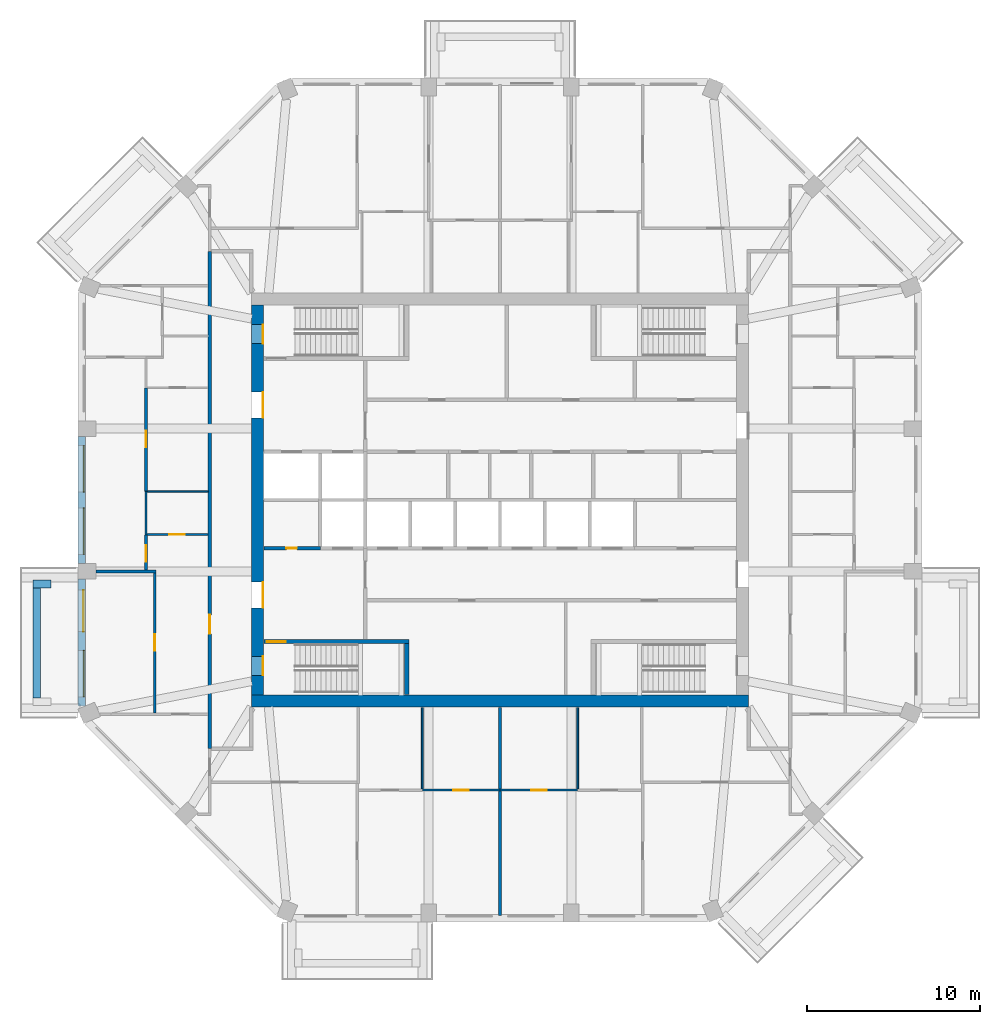
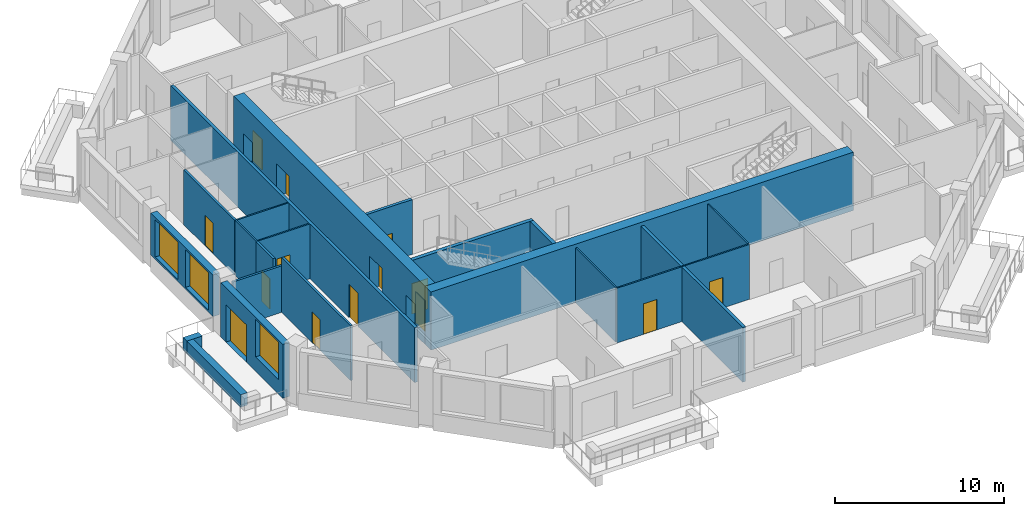
# One storey, part 3 of 10: 22 walls, 14 doors, 3 windows, 17 openings.
"""IFC4 building model written with IfcOpenShell, lengths in metres."""

from ifc_helpers import new_model, si_unit, direction, frame, frame_2d, origin, place, context, subcontext, project, spatial, rectangle, extrude, material, layer, layer_set, type_object, element, fill, save


model = new_model("IFC4")

# Units and contexts
model_context = context("Model", 3, precision=1e-05, world=origin(), true_north=direction((0.0, 1.0)))
body_context = subcontext(model_context, "Body", "Model", "MODEL_VIEW")
ifc_project = project(units=[si_unit("LENGTHUNIT", "METRE"), si_unit("AREAUNIT", "SQUARE_METRE"), si_unit("VOLUMEUNIT", "CUBIC_METRE"), si_unit("PLANEANGLEUNIT", "RADIAN"), si_unit("MASSUNIT", "GRAM", prefix="KILO")], contexts=[model_context])

# Site, building, storey
site_placement = place(None, origin())
site = spatial("IfcSite", under=ifc_project, at=site_placement, CompositionType="ELEMENT")
building_placement = place(site_placement, origin())
building = spatial("IfcBuilding", under=site, at=building_placement, Name="Msitu Wima Residences", CompositionType="ELEMENT")
storey_placement = place(building_placement, frame((0.0, 0.0, 195.89990234375)))
storey = spatial("IfcBuildingStorey", under=building, at=storey_placement, Name="L45", CompositionType="ELEMENT", Elevation=195.89990234375)

# Walls
ifc_material_1 = material(Name="Facing brick")
ifc_layer_1 = layer(ifc_material_1, 0.06494140625, Name="Facing brick")
ifc_material_2 = material(Name="Concrete C40/50", Category="concrete")
ifc_layer_2 = layer(ifc_material_2, 0.156005859375, Name="Concrete C40/50")
ifc_material_3 = material(Name="Waterproofing membrane")
ifc_layer_3 = layer(ifc_material_3, 0.00390625, Name="Waterproofing membrane")
ifc_material_4 = material(Name="Planting soil and planting")
ifc_layer_4 = layer(ifc_material_4, 0.22509765625, Name="Planting soil and planting")
ifc_layer_set_1 = layer_set([ifc_layer_1, ifc_layer_2, ifc_layer_3, ifc_layer_4], Name="Concrete C40/50")
wall_type_1 = type_object("IfcWallType", Name="Balcony planter PLANTER PL450", PredefinedType="USERDEFINED", material=ifc_layer_set_1)
wall_1_placement = place(storey_placement, frame((-26.824951171875, -5.087158203125, 0.0), z_axis=(0.0, 0.0, 1.0), x_axis=(0.0, -1.0, 0.0)))
element("IfcWall", 1, at=wall_1_placement, inside=storey, type_object=wall_type_1, Name="Balcony planter W2 L45", ObjectType="PLANTER", PredefinedType="USERDEFINED", context=body_context, shape_type="SweptSolid", body=[
    extrude(rectangle(XDim=6.37451171875, YDim=0.449951171875, at=frame_2d((3.187255859375, 0.0))), origin(), (0.0, 0.0, 1.0), 0.900146484375),
])
wall_2_placement = place(storey_placement, frame((-26.0, -4.8623046875, 0.0), z_axis=(0.0, 0.0, 1.0), x_axis=(-1.0, 0.0, 0.0)))
element("IfcWall", 2, at=wall_2_placement, inside=storey, type_object=wall_type_1, Name="Balcony planter W2 L45", ObjectType="PLANTER", PredefinedType="USERDEFINED", context=body_context, shape_type="SweptSolid", body=[
    extrude(rectangle(XDim=1.050048828125, YDim=0.449951171875, at=frame_2d((0.52490234375, 0.0))), origin(), (0.0, 0.0, 1.0), 0.900146484375),
])

# Wall, openings, windows
ifc_material_5 = material(Name="Brick (red buff mix)", Category="masonry")
ifc_layer_5 = layer(ifc_material_5, 0.449951171875)
ifc_layer_set_2 = layer_set([ifc_layer_5], Name="Brick (red buff mix)")
wall_type_2 = type_object("IfcWallType", Name="Brick infill wall BW450", PredefinedType="SOLIDWALL", material=ifc_layer_set_2)
wall_3_placement = place(storey_placement, frame((-24.22509765625, 3.687255859375, 0.900146484375), z_axis=(0.0, 0.0, 1.0), x_axis=(0.0, -1.0, 0.0)))
wall_3 = element("IfcWall", 3, at=wall_3_placement, inside=storey, type_object=wall_type_2, Name="Brick infill wall L45 W1", PredefinedType="SOLIDWALL", context=body_context, shape_type="SweptSolid", body=[
    extrude(rectangle(XDim=7.37451171875, YDim=0.449951171875, at=frame_2d((3.687255859375, 0.0))), origin(), (0.0, 0.0, 1.0), 3.0),
])
opening_1_placement = place(wall_3_placement, frame((0.537353515625, 0.0, 0.14990234375)))
opening_1 = element("IfcOpeningElement", 4, at=opening_1_placement, cuts=wall_3, Name="Opening W43-45.031", PredefinedType="OPENING", context=body_context, shape_type="SweptSolid", body=[
    extrude(rectangle(XDim=2.699951171875, YDim=2.699951171875, at=frame_2d((1.35009765625, 1.35009765625))), frame((0.0, 0.23486328125, 0.0), z_axis=(0.0, -1.0, 0.0), x_axis=(1.0, 0.0, 0.0)), (0.0, 0.0, 1.0), 0.469970703125),
])
opening_2_placement = place(wall_3_placement, frame((4.13720703125, 0.0, 0.14990234375)))
opening_2 = element("IfcOpeningElement", 5, at=opening_2_placement, cuts=wall_3, Name="Opening W43-45.032", PredefinedType="OPENING", context=body_context, shape_type="SweptSolid", body=[
    extrude(rectangle(XDim=2.699951171875, YDim=2.699951171875, at=frame_2d((1.35009765625, 1.35009765625))), frame((0.0, 0.23486328125, 0.0), z_axis=(0.0, -1.0, 0.0), x_axis=(1.0, 0.0, 0.0)), (0.0, 0.0, 1.0), 0.469970703125),
])
ifc_material_6 = material(Name="Anodised aluminium, bronze finish, clear low-emissivity double glazing", Category="aluminium")
window_type = type_object("IfcWindowType", Name="Window W2700x2700", PartitioningType="DOUBLE_PANEL_VERTICAL", PredefinedType="WINDOW", material=ifc_material_6)
window_1_placement = place(opening_1_placement, origin())
window_1 = element("IfcWindow", 6, at=window_1_placement, inside=storey, type_object=window_type, Name="Window L45 W1.1", OverallHeight=2.699951171875, OverallWidth=2.699951171875, PartitioningType="SINGLE_PANEL", PredefinedType="WINDOW", context=body_context, shape_type="SweptSolid", body=[
    extrude(rectangle(XDim=2.699951171875, YDim=2.699951171875, at=frame_2d((1.35009765625, 1.35009765625))), frame((0.0, 0.135009765625, 0.0), z_axis=(0.0, -1.0, 0.0), x_axis=(1.0, 0.0, 0.0)), (0.0, 0.0, 1.0), 0.06005859375),
])
fill(opening_1, window_1)
window_2_placement = place(opening_2_placement, origin())
window_2 = element("IfcWindow", 7, at=window_2_placement, inside=storey, type_object=window_type, Name="Window L45 W1.2", OverallHeight=2.699951171875, OverallWidth=2.699951171875, PartitioningType="SINGLE_PANEL", PredefinedType="WINDOW", context=body_context, shape_type="SweptSolid", body=[
    extrude(rectangle(XDim=2.699951171875, YDim=2.699951171875, at=frame_2d((1.35009765625, 1.35009765625))), frame((0.0, 0.135009765625, 0.0), z_axis=(0.0, -1.0, 0.0), x_axis=(1.0, 0.0, 0.0)), (0.0, 0.0, 1.0), 0.06005859375),
])
fill(opening_2, window_2)

# Wall, openings, door, window
wall_4_placement = place(storey_placement, frame((-24.22509765625, -4.587158203125, 0.0), z_axis=(0.0, 0.0, 1.0), x_axis=(0.0, -1.0, 0.0)))
wall_4 = element("IfcWall", 8, at=wall_4_placement, inside=storey, type_object=wall_type_2, Name="Brick infill wall L45 W2", PredefinedType="SOLIDWALL", context=body_context, shape_type="SweptSolid", body=[
    extrude(rectangle(XDim=7.337646484375, YDim=0.449951171875, at=frame_2d((3.6689453125, 0.0))), origin(), (0.0, 0.0, 1.0), 3.900146484375),
])
opening_3_placement = place(wall_4_placement, frame((0.63427734375, 0.0, 0.0)))
opening_3 = element("IfcOpeningElement", 9, at=opening_3_placement, cuts=wall_4, Name="Opening D43-45.007", PredefinedType="OPENING", context=body_context, shape_type="SweptSolid", body=[
    extrude(rectangle(XDim=2.39990234375, YDim=2.699951171875, at=frame_2d((1.199951171875, 1.35009765625))), frame((0.0, 0.23486328125, 0.0), z_axis=(0.0, -1.0, 0.0), x_axis=(1.0, 0.0, 0.0)), (0.0, 0.0, 1.0), 0.469970703125),
])
opening_4_placement = place(wall_4_placement, frame((4.11865234375, 0.0, 1.050048828125)))
opening_4 = element("IfcOpeningElement", 10, at=opening_4_placement, cuts=wall_4, Name="Opening W43-45.033", PredefinedType="OPENING", context=body_context, shape_type="SweptSolid", body=[
    extrude(rectangle(XDim=2.699951171875, YDim=2.699951171875, at=frame_2d((1.35009765625, 1.35009765625))), frame((0.0, 0.23486328125, 0.0), z_axis=(0.0, -1.0, 0.0), x_axis=(1.0, 0.0, 0.0)), (0.0, 0.0, 1.0), 0.469970703125),
])
door_type_1 = type_object("IfcDoorType", Name="Balcony door D2400x2700", OperationType="SLIDING_TO_LEFT", PredefinedType="DOOR", material=ifc_material_6)
door_1_placement = place(opening_3_placement, origin())
door_1 = element("IfcDoor", 11, at=door_1_placement, inside=storey, type_object=door_type_1, Name="Balcony door L45 W2", OperationType="SINGLE_SWING_LEFT", OverallHeight=2.699951171875, OverallWidth=2.39990234375, PredefinedType="DOOR", context=body_context, shape_type="SweptSolid", body=[
    extrude(rectangle(XDim=2.39990234375, YDim=2.699951171875, at=frame_2d((1.199951171875, 1.35009765625))), frame((0.0, 0.1298828125, 0.0), z_axis=(0.0, -1.0, 0.0), x_axis=(1.0, 0.0, 0.0)), (0.0, 0.0, 1.0), 0.050048828125),
])
fill(opening_3, door_1)
window_3_placement = place(opening_4_placement, origin())
window_3 = element("IfcWindow", 12, at=window_3_placement, inside=storey, type_object=window_type, Name="Window L45 W2.2", OverallHeight=2.699951171875, OverallWidth=2.699951171875, PartitioningType="SINGLE_PANEL", PredefinedType="WINDOW", context=body_context, shape_type="SweptSolid", body=[
    extrude(rectangle(XDim=2.699951171875, YDim=2.699951171875, at=frame_2d((1.35009765625, 1.35009765625))), frame((0.0, 0.135009765625, 0.0), z_axis=(0.0, -1.0, 0.0), x_axis=(1.0, 0.0, 0.0)), (0.0, 0.0, 1.0), 0.06005859375),
])
fill(opening_4, window_3)

# Wall
ifc_material_7 = material(Name="Concrete C60/75", Category="concrete")
ifc_layer_6 = layer(ifc_material_7, 0.699951171875)
ifc_layer_set_3 = layer_set([ifc_layer_6], Name="Concrete C60/75")
wall_type_3 = type_object("IfcWallType", Name="Core wall CW700 C60/75", PredefinedType="SHEAR", material=ifc_layer_set_3)
wall_5_placement = place(storey_placement, frame((-14.39990234375, -11.64990234375, 0.0), z_axis=(0.0, 0.0, 1.0), x_axis=(1.0, 0.0, 0.0)))
element("IfcWall", 13, at=wall_5_placement, inside=storey, type_object=wall_type_3, Name="Core wall", PredefinedType="SHEAR", context=body_context, shape_type="SweptSolid", body=[
    extrude(rectangle(XDim=28.7998046875, YDim=0.699951171875, at=frame_2d((14.39990234375, 0.0))), origin(), (0.0, 0.0, 1.0), 4.2001953125),
])

# Wall, openings, doors
wall_6_placement = place(storey_placement, frame((-14.050048828125, -11.300048828125, 0.0), z_axis=(0.0, 0.0, 1.0), x_axis=(0.0, 1.0, 0.0)))
wall_6 = element("IfcWall", 14, at=wall_6_placement, inside=storey, type_object=wall_type_3, Name="Core wall", PredefinedType="SHEAR", context=body_context, shape_type="SweptSolid", body=[
    extrude(rectangle(XDim=22.60009765625, YDim=0.699951171875, at=frame_2d((11.300048828125, 0.0))), origin(), (0.0, 0.0, 1.0), 4.2001953125),
])
opening_5_placement = place(wall_6_placement, frame((20.35009765625, 0.0, 0.0)))
opening_5 = element("IfcOpeningElement", 15, at=opening_5_placement, cuts=wall_6, Name="Opening D43-45.069", PredefinedType="OPENING", context=body_context, shape_type="SweptSolid", body=[
    extrude(rectangle(XDim=1.10009765625, YDim=2.199951171875, at=frame_2d((0.550048828125, 1.10009765625))), frame((0.0, 0.35986328125, 0.0), z_axis=(0.0, -1.0, 0.0), x_axis=(1.0, 0.0, 0.0)), (0.0, 0.0, 1.0), 0.719970703125),
])
opening_6_placement = place(wall_6_placement, frame((1.14990234375, 0.0, 0.0)))
opening_6 = element("IfcOpeningElement", 16, at=opening_6_placement, cuts=wall_6, Name="Opening D43-45.071", PredefinedType="OPENING", context=body_context, shape_type="SweptSolid", body=[
    extrude(rectangle(XDim=1.10009765625, YDim=2.199951171875, at=frame_2d((0.550048828125, 1.10009765625))), frame((0.0, 0.35986328125, 0.0), z_axis=(0.0, -1.0, 0.0), x_axis=(1.0, 0.0, 0.0)), (0.0, 0.0, 1.0), 0.719970703125),
])
opening_7_placement = place(wall_6_placement, frame((16.050048828125, 0.0, 0.0)))
opening_7 = element("IfcOpeningElement", 17, at=opening_7_placement, cuts=wall_6, Name="Opening D43-45.051", PredefinedType="OPENING", context=body_context, shape_type="SweptSolid", body=[
    extrude(rectangle(XDim=1.5, YDim=2.39990234375, at=frame_2d((0.75, 1.199951171875))), frame((0.0, 0.35986328125, 0.0), z_axis=(0.0, -1.0, 0.0), x_axis=(1.0, 0.0, 0.0)), (0.0, 0.0, 1.0), 0.719970703125),
])
opening_8_placement = place(wall_6_placement, frame((5.050048828125, 0.0, 0.0)))
opening_8 = element("IfcOpeningElement", 18, at=opening_8_placement, cuts=wall_6, Name="Opening D43-45.053", PredefinedType="OPENING", context=body_context, shape_type="SweptSolid", body=[
    extrude(rectangle(XDim=1.5, YDim=2.39990234375, at=frame_2d((0.75, 1.199951171875))), frame((0.0, 0.35986328125, 0.0), z_axis=(0.0, -1.0, 0.0), x_axis=(1.0, 0.0, 0.0)), (0.0, 0.0, 1.0), 0.719970703125),
])
ifc_material_8 = material(Name="Steel framed glazed door, fire resisting", Category="steel")
door_type_2 = type_object("IfcDoorType", Name="Lobby door D07 1500x2400", OperationType="DOUBLE_DOOR_SINGLE_SWING", PredefinedType="DOOR", material=ifc_material_8)
door_2_placement = place(opening_7_placement, origin())
door_2 = element("IfcDoor", 19, at=door_2_placement, inside=storey, type_object=door_type_2, Name="Lobby door", OperationType="DOUBLE_DOOR_SINGLE_SWING", OverallHeight=2.39990234375, OverallWidth=1.5, PredefinedType="DOOR", context=body_context, shape_type="SweptSolid", body=[
    extrude(rectangle(XDim=1.5, YDim=2.39990234375, at=frame_2d((0.75, 1.199951171875))), frame((0.0, -0.294921875, 0.0), z_axis=(0.0, -1.0, 0.0), x_axis=(1.0, 0.0, 0.0)), (0.0, 0.0, 1.0), 0.050048828125),
])
fill(opening_7, door_2)
door_3_placement = place(opening_8_placement, origin())
door_3 = element("IfcDoor", 20, at=door_3_placement, inside=storey, type_object=door_type_2, Name="Lobby door", OperationType="DOUBLE_DOOR_SINGLE_SWING", OverallHeight=2.39990234375, OverallWidth=1.5, PredefinedType="DOOR", context=body_context, shape_type="SweptSolid", body=[
    extrude(rectangle(XDim=1.5, YDim=2.39990234375, at=frame_2d((0.75, 1.199951171875))), frame((0.0, -0.294921875, 0.0), z_axis=(0.0, -1.0, 0.0), x_axis=(1.0, 0.0, 0.0)), (0.0, 0.0, 1.0), 0.050048828125),
])
fill(opening_8, door_3)
ifc_material_9 = material(Name="Steel door, fire resisting, panic bar", Category="steel")
door_type_3 = type_object("IfcDoorType", Name="Stair door D06 1100x2200", OperationType="SINGLE_SWING_LEFT", PredefinedType="DOOR", material=ifc_material_9)
door_4_placement = place(opening_5_placement, origin())
door_4 = element("IfcDoor", 21, at=door_4_placement, inside=storey, type_object=door_type_3, Name="Stair door", OperationType="SINGLE_SWING_RIGHT", OverallHeight=2.199951171875, OverallWidth=1.10009765625, PredefinedType="DOOR", context=body_context, shape_type="SweptSolid", body=[
    extrude(rectangle(XDim=1.10009765625, YDim=2.199951171875, at=frame_2d((0.550048828125, 1.10009765625))), frame((0.0, -0.294921875, 0.0), z_axis=(0.0, -1.0, 0.0), x_axis=(1.0, 0.0, 0.0)), (0.0, 0.0, 1.0), 0.050048828125),
])
fill(opening_5, door_4)
door_5_placement = place(opening_6_placement, origin())
door_5 = element("IfcDoor", 22, at=door_5_placement, inside=storey, type_object=door_type_3, Name="Stair door", OperationType="SINGLE_SWING_LEFT", OverallHeight=2.199951171875, OverallWidth=1.10009765625, PredefinedType="DOOR", context=body_context, shape_type="SweptSolid", body=[
    extrude(rectangle(XDim=1.10009765625, YDim=2.199951171875, at=frame_2d((0.550048828125, 1.10009765625))), frame((0.0, -0.294921875, 0.0), z_axis=(0.0, -1.0, 0.0), x_axis=(1.0, 0.0, 0.0)), (0.0, 0.0, 1.0), 0.050048828125),
])
fill(opening_6, door_5)

# Wall, opening, door
ifc_material_10 = material(Name="Plaster")
ifc_layer_7 = layer(ifc_material_10, 0.011962890625, Name="Plaster")
ifc_material_11 = material(Name="Concrete blockwork", Category="masonry")
ifc_layer_8 = layer(ifc_material_11, 0.176025390625, Name="Concrete blockwork")
ifc_layer_9 = layer(ifc_material_10, 0.011962890625, Name="Plaster")
ifc_layer_set_4 = layer_set([ifc_layer_7, ifc_layer_8, ifc_layer_9], Name="Concrete blockwork")
wall_type_4 = type_object("IfcWallType", Name="Corridor wall FW200", PredefinedType="PARTITIONING", material=ifc_layer_set_4)
wall_7_placement = place(storey_placement, frame((-16.800048828125, -14.39990234375, 0.0), z_axis=(0.0, 0.0, 1.0), x_axis=(0.0, 1.0, 0.0)))
wall_7 = element("IfcWall", 23, at=wall_7_placement, inside=storey, type_object=wall_type_4, Name="Corridor wall", PredefinedType="PARTITIONING", context=body_context, shape_type="SweptSolid", body=[
    extrude(rectangle(XDim=28.7998046875, YDim=0.199951171875, at=frame_2d((14.39990234375, 0.0))), origin(), (0.0, 0.0, 1.0), 3.9501953125),
])
opening_9_placement = place(wall_7_placement, frame((6.64990234375, 0.0, 0.0)))
opening_9 = element("IfcOpeningElement", 24, at=opening_9_placement, cuts=wall_7, Name="Opening D43-45.029", PredefinedType="OPENING", context=body_context, shape_type="SweptSolid", body=[
    extrude(rectangle(XDim=1.10009765625, YDim=2.39990234375, at=frame_2d((0.550048828125, 1.199951171875))), frame((0.0, 0.10986328125, 0.0), z_axis=(0.0, -1.0, 0.0), x_axis=(1.0, 0.0, 0.0)), (0.0, 0.0, 1.0), 0.219970703125),
])
ifc_material_12 = material(Name="Timber flush door, fire resisting, self-closing", Category="wood")
door_type_4 = type_object("IfcDoorType", Name="Flat entrance door D01 1100x2400", OperationType="SINGLE_SWING_LEFT", PredefinedType="DOOR", material=ifc_material_12)
door_6_placement = place(opening_9_placement, origin())
door_6 = element("IfcDoor", 25, at=door_6_placement, inside=storey, type_object=door_type_4, Name="Flat entrance door", OperationType="SINGLE_SWING_LEFT", OverallHeight=2.39990234375, OverallWidth=1.10009765625, PredefinedType="DOOR", context=body_context, shape_type="SweptSolid", body=[
    extrude(rectangle(XDim=1.10009765625, YDim=2.39990234375, at=frame_2d((0.550048828125, 1.199951171875))), frame((0.0, 0.02490234375, 0.0), z_axis=(0.0, -1.0, 0.0), x_axis=(1.0, 0.0, 0.0)), (0.0, 0.0, 1.0), 0.050048828125),
])
fill(opening_9, door_6)

# Wall
ifc_layer_10 = layer(ifc_material_10, 0.011962890625, Name="Plaster")
ifc_layer_11 = layer(ifc_material_11, 0.1259765625, Name="Concrete blockwork")
ifc_layer_12 = layer(ifc_material_10, 0.011962890625, Name="Plaster")
ifc_layer_set_5 = layer_set([ifc_layer_10, ifc_layer_11, ifc_layer_12], Name="Concrete blockwork")
wall_type_5 = type_object("IfcWallType", Name="Partition PW150", PredefinedType="PARTITIONING", material=ifc_layer_set_5)
wall_8_placement = place(storey_placement, frame((-23.39990234375, -4.139892578125, 0.0), z_axis=(0.0, 0.0, 1.0), x_axis=(1.0, 0.0, 0.0)))
element("IfcWall", 26, at=wall_8_placement, inside=storey, type_object=wall_type_5, Name="Partition", PredefinedType="PARTITIONING", context=body_context, shape_type="SweptSolid", body=[
    extrude(rectangle(XDim=3.474853515625, YDim=0.14990234375, at=frame_2d((1.7373046875, 0.0))), origin(), (0.0, 0.0, 1.0), 3.35009765625),
])

# Wall, opening, door
wall_9_placement = place(storey_placement, frame((-20.5, -4.06494140625, 0.0), z_axis=(0.0, 0.0, 1.0), x_axis=(0.0, 1.0, 0.0)))
wall_9 = element("IfcWall", 27, at=wall_9_placement, inside=storey, type_object=wall_type_5, Name="Partition", PredefinedType="PARTITIONING", context=body_context, shape_type="SweptSolid", body=[
    extrude(rectangle(XDim=2.044921875, YDim=0.14990234375, at=frame_2d((1.0224609375, 0.0))), origin(), (0.0, 0.0, 1.0), 3.9501953125),
])
opening_10_placement = place(wall_9_placement, frame((0.5, 0.0, 0.0)))
opening_10 = element("IfcOpeningElement", 28, at=opening_10_placement, cuts=wall_9, Name="Opening D43-45.044", PredefinedType="OPENING", context=body_context, shape_type="SweptSolid", body=[
    extrude(rectangle(XDim=0.949951171875, YDim=2.199951171875, at=frame_2d((0.47509765625, 1.10009765625))), frame((0.0, 0.0849609375, 0.0), z_axis=(0.0, -1.0, 0.0), x_axis=(1.0, 0.0, 0.0)), (0.0, 0.0, 1.0), 0.169921875),
])
ifc_material_13 = material(Name="Timber flush door", Category="wood")
door_type_5 = type_object("IfcDoorType", Name="Room door D12 950x2200", OperationType="SINGLE_SWING_LEFT", PredefinedType="DOOR", material=ifc_material_13)
door_7_placement = place(opening_10_placement, origin())
door_7 = element("IfcDoor", 29, at=door_7_placement, inside=storey, type_object=door_type_5, Name="Room door", OperationType="SINGLE_SWING_LEFT", OverallHeight=2.199951171875, OverallWidth=0.949951171875, PredefinedType="DOOR", context=body_context, shape_type="SweptSolid", body=[
    extrude(rectangle(XDim=0.949951171875, YDim=2.199951171875, at=frame_2d((0.47509765625, 1.10009765625))), frame((0.0, 0.02490234375, 0.0), z_axis=(0.0, -1.0, 0.0), x_axis=(1.0, 0.0, 0.0)), (0.0, 0.0, 1.0), 0.050048828125),
])
fill(opening_10, door_7)

wall_10_placement = place(storey_placement, frame((-20.5, 0.5, 0.0), z_axis=(0.0, 0.0, 1.0), x_axis=(0.0, 1.0, 0.0)))
wall_10 = element("IfcWall", 30, at=wall_10_placement, inside=storey, type_object=wall_type_5, Name="Partition", PredefinedType="PARTITIONING", context=body_context, shape_type="SweptSolid", body=[
    extrude(rectangle(XDim=6.0, YDim=0.14990234375, at=frame_2d((3.0, 0.0))), origin(), (0.0, 0.0, 1.0), 3.9501953125),
])
opening_11_placement = place(wall_10_placement, frame((2.550048828125, 0.0, 0.0)))
opening_11 = element("IfcOpeningElement", 31, at=opening_11_placement, cuts=wall_10, Name="Opening D43-45.031", PredefinedType="OPENING", context=body_context, shape_type="SweptSolid", body=[
    extrude(rectangle(XDim=0.949951171875, YDim=2.199951171875, at=frame_2d((0.47509765625, 1.10009765625))), frame((0.0, 0.0849609375, 0.0), z_axis=(0.0, -1.0, 0.0), x_axis=(1.0, 0.0, 0.0)), (0.0, 0.0, 1.0), 0.169921875),
])
door_8_placement = place(opening_11_placement, origin())
door_8 = element("IfcDoor", 32, at=door_8_placement, inside=storey, type_object=door_type_5, Name="Room door", OperationType="SINGLE_SWING_RIGHT", OverallHeight=2.199951171875, OverallWidth=0.949951171875, PredefinedType="DOOR", context=body_context, shape_type="SweptSolid", body=[
    extrude(rectangle(XDim=0.949951171875, YDim=2.199951171875, at=frame_2d((0.47509765625, 1.10009765625))), frame((0.0, 0.02490234375, 0.0), z_axis=(0.0, -1.0, 0.0), x_axis=(1.0, 0.0, 0.0)), (0.0, 0.0, 1.0), 0.050048828125),
])
fill(opening_11, door_8)

wall_11_placement = place(storey_placement, frame((-20.0, -12.3349609375, 0.0), z_axis=(0.0, 0.0, 1.0), x_axis=(0.0, 1.0, 0.0)))
wall_11 = element("IfcWall", 33, at=wall_11_placement, inside=storey, type_object=wall_type_5, Name="Partition", PredefinedType="PARTITIONING", context=body_context, shape_type="SweptSolid", body=[
    extrude(rectangle(XDim=8.119873046875, YDim=0.14990234375, at=frame_2d((4.06005859375, 0.0))), origin(), (0.0, 0.0, 1.0), 3.9501953125),
])
opening_12_placement = place(wall_11_placement, frame((3.60009765625, 0.0, 0.0)))
opening_12 = element("IfcOpeningElement", 34, at=opening_12_placement, cuts=wall_11, Name="Opening D43-45.043", PredefinedType="OPENING", context=body_context, shape_type="SweptSolid", body=[
    extrude(rectangle(XDim=0.949951171875, YDim=2.199951171875, at=frame_2d((0.47509765625, 1.10009765625))), frame((0.0, 0.0849609375, 0.0), z_axis=(0.0, -1.0, 0.0), x_axis=(1.0, 0.0, 0.0)), (0.0, 0.0, 1.0), 0.169921875),
])
door_9_placement = place(opening_12_placement, origin())
door_9 = element("IfcDoor", 35, at=door_9_placement, inside=storey, type_object=door_type_5, Name="Room door", OperationType="SINGLE_SWING_RIGHT", OverallHeight=2.199951171875, OverallWidth=0.949951171875, PredefinedType="DOOR", context=body_context, shape_type="SweptSolid", body=[
    extrude(rectangle(XDim=0.949951171875, YDim=2.199951171875, at=frame_2d((0.47509765625, 1.10009765625))), frame((0.0, 0.02490234375, 0.0), z_axis=(0.0, -1.0, 0.0), x_axis=(1.0, 0.0, 0.0)), (0.0, 0.0, 1.0), 0.050048828125),
])
fill(opening_12, door_9)

# Wall
ifc_layer_13 = layer(ifc_material_10, 0.011962890625, Name="Plaster")
ifc_material_14 = material(Name="Dense concrete blockwork", Category="masonry")
ifc_layer_14 = layer(ifc_material_14, 0.176025390625, Name="Dense concrete blockwork")
ifc_layer_15 = layer(ifc_material_10, 0.011962890625, Name="Plaster")
ifc_layer_set_6 = layer_set([ifc_layer_13, ifc_layer_14, ifc_layer_15], Name="Dense concrete blockwork")
wall_type_6 = type_object("IfcWallType", Name="Party wall PW200", PredefinedType="PARTITIONING", material=ifc_layer_set_6)
wall_12_placement = place(storey_placement, frame((0.0, -24.054931640625, 0.0), z_axis=(0.0, 0.0, 1.0), x_axis=(0.0, 1.0, 0.0)))
element("IfcWall", 36, at=wall_12_placement, inside=storey, type_object=wall_type_6, Name="Party wall", PredefinedType="PARTITIONING", context=body_context, shape_type="SweptSolid", body=[
    extrude(rectangle(XDim=12.02490234375, YDim=0.199951171875, at=frame_2d((6.012451171875, 0.0))), origin(), (0.0, 0.0, 1.0), 3.9501953125),
])

# Wall, opening, door
ifc_layer_16 = layer(ifc_material_10, 0.011962890625, Name="Plaster")
ifc_material_15 = material(Name="Reinforced concrete blockwork", Category="masonry")
ifc_layer_17 = layer(ifc_material_15, 0.176025390625, Name="Reinforced concrete blockwork")
ifc_layer_18 = layer(ifc_material_10, 0.011962890625, Name="Plaster")
ifc_layer_set_7 = layer_set([ifc_layer_16, ifc_layer_17, ifc_layer_18], Name="Reinforced concrete blockwork")
wall_type_7 = type_object("IfcWallType", Name="Plant and riser wall PL200", PredefinedType="PARTITIONING", material=ifc_layer_set_7)
wall_13_placement = place(storey_placement, frame((-13.669921875, -2.800048828125, 0.0), z_axis=(0.0, 0.0, 1.0), x_axis=(1.0, 0.0, 0.0)))
wall_13 = element("IfcWall", 37, at=wall_13_placement, inside=storey, type_object=wall_type_7, Name="Plant and riser wall", PredefinedType="PARTITIONING", context=body_context, shape_type="SweptSolid", body=[
    extrude(rectangle(XDim=3.27001953125, YDim=0.199951171875, at=frame_2d((1.635009765625, 0.0))), origin(), (0.0, 0.0, 1.0), 3.9501953125),
])
opening_13_placement = place(wall_13_placement, frame((1.300048828125, 0.0, 0.0)))
opening_13 = element("IfcOpeningElement", 38, at=opening_13_placement, cuts=wall_13, Name="Opening D43-45.068", PredefinedType="OPENING", context=body_context, shape_type="SweptSolid", body=[
    extrude(rectangle(XDim=0.60009765625, YDim=2.0, at=frame_2d((0.300048828125, 1.0))), frame((0.0, 0.10986328125, 0.0), z_axis=(0.0, -1.0, 0.0), x_axis=(1.0, 0.0, 0.0)), (0.0, 0.0, 1.0), 0.219970703125),
])
ifc_material_16 = material(Name="Steel access door, fire resisting", Category="steel")
door_type_6 = type_object("IfcDoorType", Name="Riser access door D08 600x2000", OperationType="SINGLE_SWING_LEFT", PredefinedType="DOOR", material=ifc_material_16)
door_10_placement = place(opening_13_placement, origin())
door_10 = element("IfcDoor", 39, at=door_10_placement, inside=storey, type_object=door_type_6, Name="Riser access door", OperationType="SINGLE_SWING_RIGHT", OverallHeight=2.0, OverallWidth=0.60009765625, PredefinedType="DOOR", context=body_context, shape_type="SweptSolid", body=[
    extrude(rectangle(XDim=0.60009765625, YDim=2.0, at=frame_2d((0.300048828125, 1.0))), frame((0.0, 0.02490234375, 0.0), z_axis=(0.0, -1.0, 0.0), x_axis=(1.0, 0.0, 0.0)), (0.0, 0.0, 1.0), 0.050048828125),
])
fill(opening_13, door_10)

ifc_material_17 = material(Name="Concrete C50/60", Category="concrete")
ifc_layer_19 = layer(ifc_material_17, 0.25)
ifc_layer_set_8 = layer_set([ifc_layer_19], Name="Concrete C50/60")
wall_type_8 = type_object("IfcWallType", Name="Stair enclosure wall SW250", PredefinedType="SHEAR", material=ifc_layer_set_8)
wall_14_placement = place(storey_placement, frame((-13.669921875, -8.199951171875, 0.0), z_axis=(0.0, 0.0, 1.0), x_axis=(1.0, 0.0, 0.0)))
wall_14 = element("IfcWall", 40, at=wall_14_placement, inside=storey, type_object=wall_type_8, Name="Stair enclosure wall", PredefinedType="SHEAR", context=body_context, shape_type="SweptSolid", body=[
    extrude(rectangle(XDim=8.39501953125, YDim=0.25, at=frame_2d((4.197509765625, 0.0))), origin(), (0.0, 0.0, 1.0), 3.9501953125),
])
opening_14_placement = place(wall_14_placement, frame((0.14990234375, 0.0, 0.0)))
opening_14 = element("IfcOpeningElement", 41, at=opening_14_placement, cuts=wall_14, Name="Opening D43-45.072", PredefinedType="OPENING", context=body_context, shape_type="SweptSolid", body=[
    extrude(rectangle(XDim=1.10009765625, YDim=2.199951171875, at=frame_2d((0.550048828125, 1.10009765625))), frame((0.0, 0.135009765625, 0.0), z_axis=(0.0, -1.0, 0.0), x_axis=(1.0, 0.0, 0.0)), (0.0, 0.0, 1.0), 0.27001953125),
])
door_11_placement = place(opening_14_placement, origin())
door_11 = element("IfcDoor", 42, at=door_11_placement, inside=storey, type_object=door_type_3, Name="Stair door", OperationType="SINGLE_SWING_RIGHT", OverallHeight=2.199951171875, OverallWidth=1.10009765625, PredefinedType="DOOR", context=body_context, shape_type="SweptSolid", body=[
    extrude(rectangle(XDim=1.10009765625, YDim=2.199951171875, at=frame_2d((0.550048828125, 1.10009765625))), frame((0.0, 0.02490234375, 0.0), z_axis=(0.0, -1.0, 0.0), x_axis=(1.0, 0.0, 0.0)), (0.0, 0.0, 1.0), 0.050048828125),
])
fill(opening_14, door_11)

# Walls
wall_15_placement = place(storey_placement, frame((-5.39990234375, -11.27001953125, 0.0), z_axis=(0.0, 0.0, 1.0), x_axis=(0.0, 1.0, 0.0)))
element("IfcWall", 43, at=wall_15_placement, inside=storey, type_object=wall_type_8, Name="Stair enclosure wall", PredefinedType="SHEAR", context=body_context, shape_type="SweptSolid", body=[
    extrude(rectangle(XDim=2.945068359375, YDim=0.25, at=frame_2d((1.47265625, 0.0))), origin(), (0.0, 0.0, 1.0), 3.9501953125),
])
ifc_material_18 = material(Name="Ceramic tiles")
ifc_layer_20 = layer(ifc_material_18, 0.008056640625, Name="Ceramic tiles")
ifc_material_19 = material(Name="Moisture-resistant board")
ifc_layer_21 = layer(ifc_material_19, 0.012451171875, Name="Moisture-resistant board")
ifc_material_20 = material(Name="Light-gauge stud framing with mineral wool")
ifc_layer_22 = layer(ifc_material_20, 0.06689453125, Name="Light-gauge stud framing with mineral wool")
ifc_layer_23 = layer(ifc_material_19, 0.012451171875, Name="Moisture-resistant board")
ifc_layer_set_9 = layer_set([ifc_layer_20, ifc_layer_21, ifc_layer_22, ifc_layer_23], Name="Light-gauge stud framing with mineral wool")
wall_type_9 = type_object("IfcWallType", Name="Wet wall PW100", PredefinedType="PARTITIONING", material=ifc_layer_set_9)
wall_16_placement = place(storey_placement, frame((-20.5, -2.02001953125, 0.0), z_axis=(0.0, 0.0, 1.0), x_axis=(0.0, 1.0, 0.0)))
element("IfcWall", 44, at=wall_16_placement, inside=storey, type_object=wall_type_9, Name="Wet wall", PredefinedType="PARTITIONING", context=body_context, shape_type="SweptSolid", body=[
    extrude(rectangle(XDim=2.52001953125, YDim=0.10009765625, at=frame_2d((1.260009765625, 0.0))), origin(), (0.0, 0.0, 1.0), 3.9501953125),
])

# Wall, opening, door
wall_17_placement = place(storey_placement, frame((-20.449951171875, -2.0, 0.0), z_axis=(0.0, 0.0, 1.0), x_axis=(1.0, 0.0, 0.0)))
wall_17 = element("IfcWall", 45, at=wall_17_placement, inside=storey, type_object=wall_type_9, Name="Wet wall", PredefinedType="PARTITIONING", context=body_context, shape_type="SweptSolid", body=[
    extrude(rectangle(XDim=3.550048828125, YDim=0.10009765625, at=frame_2d((1.77490234375, 0.0))), origin(), (0.0, 0.0, 1.0), 3.9501953125),
])
opening_15_placement = place(wall_17_placement, frame((1.300048828125, 0.0, 0.0)))
opening_15 = element("IfcOpeningElement", 46, at=opening_15_placement, cuts=wall_17, Name="Opening D43-45.041", PredefinedType="OPENING", context=body_context, shape_type="SweptSolid", body=[
    extrude(rectangle(XDim=0.89990234375, YDim=2.199951171875, at=frame_2d((0.449951171875, 1.10009765625))), frame((0.0, 0.06005859375, 0.0), z_axis=(0.0, -1.0, 0.0), x_axis=(1.0, 0.0, 0.0)), (0.0, 0.0, 1.0), 0.1201171875),
])
ifc_material_21 = material(Name="Timber flush door, moisture resistant", Category="wood")
door_type_7 = type_object("IfcDoorType", Name="Bathroom door D03 900x2200", OperationType="SINGLE_SWING_LEFT", PredefinedType="DOOR", material=ifc_material_21)
door_12_placement = place(opening_15_placement, origin())
door_12 = element("IfcDoor", 47, at=door_12_placement, inside=storey, type_object=door_type_7, Name="Bathroom door", OperationType="SINGLE_SWING_LEFT", OverallHeight=2.199951171875, OverallWidth=0.89990234375, PredefinedType="DOOR", context=body_context, shape_type="SweptSolid", body=[
    extrude(rectangle(XDim=0.89990234375, YDim=2.199951171875, at=frame_2d((0.449951171875, 1.10009765625))), frame((0.0, 0.02490234375, 0.0), z_axis=(0.0, -1.0, 0.0), x_axis=(1.0, 0.0, 0.0)), (0.0, 0.0, 1.0), 0.050048828125),
])
fill(opening_15, door_12)

# Walls
wall_18_placement = place(storey_placement, frame((-20.425048828125, 0.5, 0.0), z_axis=(0.0, 0.0, 1.0), x_axis=(1.0, 0.0, 0.0)))
element("IfcWall", 48, at=wall_18_placement, inside=storey, type_object=wall_type_9, Name="Wet wall", PredefinedType="PARTITIONING", context=body_context, shape_type="SweptSolid", body=[
    extrude(rectangle(XDim=3.525146484375, YDim=0.10009765625, at=frame_2d((1.7626953125, 0.0))), origin(), (0.0, 0.0, 1.0), 3.9501953125),
])
wall_19_placement = place(storey_placement, frame((-4.5, -16.72509765625, 0.0), z_axis=(0.0, 0.0, 1.0), x_axis=(0.0, 1.0, 0.0)))
element("IfcWall", 49, at=wall_19_placement, inside=storey, type_object=wall_type_9, Name="Wet wall", PredefinedType="PARTITIONING", context=body_context, shape_type="SweptSolid", body=[
    extrude(rectangle(XDim=4.695068359375, YDim=0.10009765625, at=frame_2d((2.34765625, 0.0))), origin(), (0.0, 0.0, 1.0), 3.9501953125),
])

# Wall, opening, door
wall_20_placement = place(storey_placement, frame((-4.5, -16.800048828125, 0.0), z_axis=(0.0, 0.0, 1.0), x_axis=(1.0, 0.0, 0.0)))
wall_20 = element("IfcWall", 50, at=wall_20_placement, inside=storey, type_object=wall_type_9, Name="Wet wall", PredefinedType="PARTITIONING", context=body_context, shape_type="SweptSolid", body=[
    extrude(rectangle(XDim=4.5, YDim=0.10009765625, at=frame_2d((2.25, 0.0))), origin(), (0.0, 0.0, 1.0), 3.9501953125),
])
opening_16_placement = place(wall_20_placement, frame((1.800048828125, 0.0, 0.0)))
opening_16 = element("IfcOpeningElement", 51, at=opening_16_placement, cuts=wall_20, Name="Opening D43-45.037", PredefinedType="OPENING", context=body_context, shape_type="SweptSolid", body=[
    extrude(rectangle(XDim=0.89990234375, YDim=2.199951171875, at=frame_2d((0.449951171875, 1.10009765625))), frame((0.0, 0.06005859375, 0.0), z_axis=(0.0, -1.0, 0.0), x_axis=(1.0, 0.0, 0.0)), (0.0, 0.0, 1.0), 0.1201171875),
])
door_13_placement = place(opening_16_placement, origin())
door_13 = element("IfcDoor", 52, at=door_13_placement, inside=storey, type_object=door_type_7, Name="Bathroom door", OperationType="SINGLE_SWING_RIGHT", OverallHeight=2.199951171875, OverallWidth=0.89990234375, PredefinedType="DOOR", context=body_context, shape_type="SweptSolid", body=[
    extrude(rectangle(XDim=0.89990234375, YDim=2.199951171875, at=frame_2d((0.449951171875, 1.10009765625))), frame((0.0, 0.02490234375, 0.0), z_axis=(0.0, -1.0, 0.0), x_axis=(1.0, 0.0, 0.0)), (0.0, 0.0, 1.0), 0.050048828125),
])
fill(opening_16, door_13)

wall_21_placement = place(storey_placement, frame((0.0, -16.800048828125, 0.0), z_axis=(0.0, 0.0, 1.0), x_axis=(1.0, 0.0, 0.0)))
wall_21 = element("IfcWall", 53, at=wall_21_placement, inside=storey, type_object=wall_type_9, Name="Wet wall", PredefinedType="PARTITIONING", context=body_context, shape_type="SweptSolid", body=[
    extrude(rectangle(XDim=4.5, YDim=0.10009765625, at=frame_2d((2.25, 0.0))), origin(), (0.0, 0.0, 1.0), 3.9501953125),
])
opening_17_placement = place(wall_21_placement, frame((1.800048828125, 0.0, 0.0)))
opening_17 = element("IfcOpeningElement", 54, at=opening_17_placement, cuts=wall_21, Name="Opening D43-45.016", PredefinedType="OPENING", context=body_context, shape_type="SweptSolid", body=[
    extrude(rectangle(XDim=0.89990234375, YDim=2.199951171875, at=frame_2d((0.449951171875, 1.10009765625))), frame((0.0, 0.06005859375, 0.0), z_axis=(0.0, -1.0, 0.0), x_axis=(1.0, 0.0, 0.0)), (0.0, 0.0, 1.0), 0.1201171875),
])
door_14_placement = place(opening_17_placement, origin())
door_14 = element("IfcDoor", 55, at=door_14_placement, inside=storey, type_object=door_type_7, Name="Bathroom door", OperationType="SINGLE_SWING_LEFT", OverallHeight=2.199951171875, OverallWidth=0.89990234375, PredefinedType="DOOR", context=body_context, shape_type="SweptSolid", body=[
    extrude(rectangle(XDim=0.89990234375, YDim=2.199951171875, at=frame_2d((0.449951171875, 1.10009765625))), frame((0.0, 0.02490234375, 0.0), z_axis=(0.0, -1.0, 0.0), x_axis=(1.0, 0.0, 0.0)), (0.0, 0.0, 1.0), 0.050048828125),
])
fill(opening_17, door_14)

# Wall
wall_22_placement = place(storey_placement, frame((4.5, -16.72509765625, 0.0), z_axis=(0.0, 0.0, 1.0), x_axis=(0.0, 1.0, 0.0)))
element("IfcWall", 56, at=wall_22_placement, inside=storey, type_object=wall_type_9, Name="Wet wall", PredefinedType="PARTITIONING", context=body_context, shape_type="SweptSolid", body=[
    extrude(rectangle(XDim=4.695068359375, YDim=0.10009765625, at=frame_2d((2.34765625, 0.0))), origin(), (0.0, 0.0, 1.0), 3.9501953125),
])

save(model, "model.ifc")
